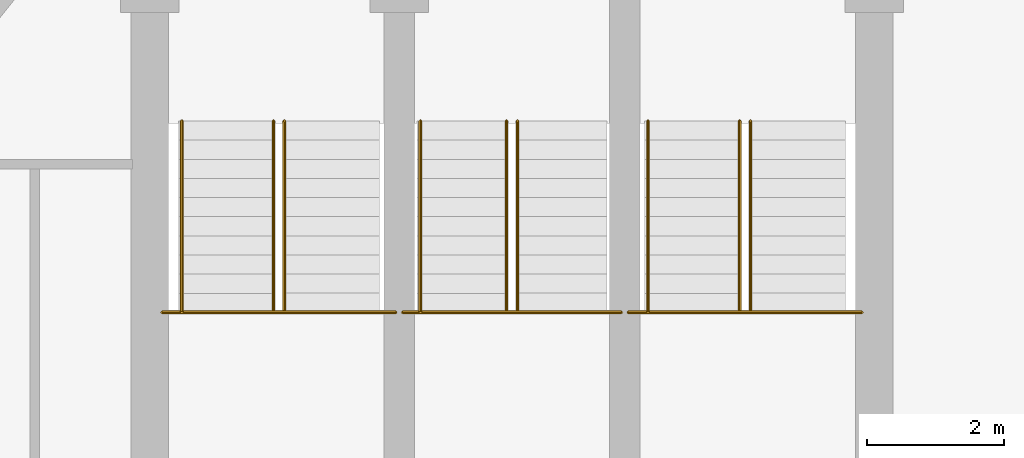
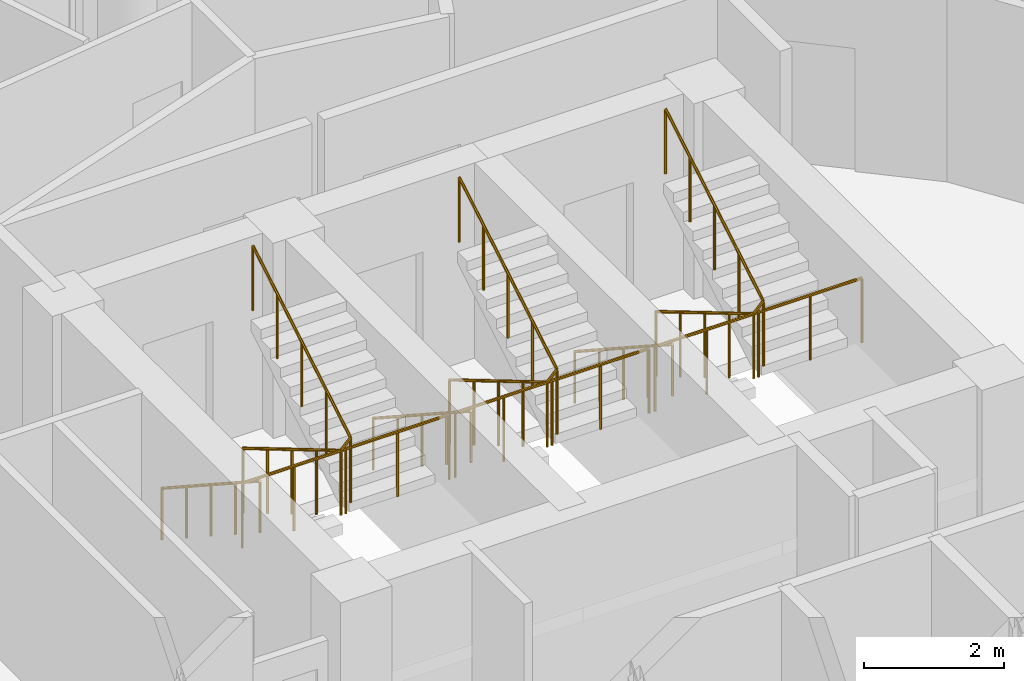
# One storey, part 27 of 27: 9 railings.
"""IFC4 building model written with IfcOpenShell, lengths in metres."""

from ifc_helpers import new_model, si_unit, direction, frame, origin, place, context, subcontext, project, spatial, polyline, outline, extrude, material, type_object, element, save


model = new_model("IFC4")

# Units and contexts
model_context = context("Model", 3, precision=1e-05, world=origin(), true_north=direction((0.0, 1.0)))
body_context = subcontext(model_context, "Body", "Model", "MODEL_VIEW")
ifc_project = project(units=[si_unit("LENGTHUNIT", "METRE"), si_unit("AREAUNIT", "SQUARE_METRE"), si_unit("VOLUMEUNIT", "CUBIC_METRE"), si_unit("PLANEANGLEUNIT", "RADIAN"), si_unit("MASSUNIT", "GRAM", prefix="KILO")], contexts=[model_context])

# Site, building, storey
site_placement = place(None, origin())
site = spatial("IfcSite", under=ifc_project, at=site_placement, CompositionType="ELEMENT")
building_placement = place(site_placement, origin())
building = spatial("IfcBuilding", under=site, at=building_placement, Name="Nuhasar Tower", CompositionType="ELEMENT")
storey_placement = place(building_placement, frame((0.0, 0.0, 244.64990234375)))
storey = spatial("IfcBuildingStorey", under=building, at=storey_placement, Name="L60", CompositionType="ELEMENT", Elevation=244.64990234375)

# Railings
ifc_material_1 = material(Name="Steel S355", Category="steel")
railing_type_1 = type_object("IfcRailingType", Name="RLG-STAIR-GUARD-1150", PredefinedType="GUARDRAIL", material=ifc_material_1)
railing_1_placement = place(storey_placement, frame((33.8798828125, 32.485107421875, 1.8251953125)))
element("IfcRailing", 1, at=railing_1_placement, inside=storey, type_object=railing_type_1, Name="L60 Stair ST-01 Guardrail LND", PredefinedType="GUARDRAIL", context=body_context, shape_type="SweptSolid", body=[
    extrude(outline(polyline([(0.024169921875, 0.0), (0.01708984375, 0.01708984375), (0.0, 0.024169921875), (-0.01708984375, 0.01708984375), (-0.024169921875, 0.0), (-0.01708984375, -0.01708984375), (0.0, -0.024169921875), (0.01708984375, -0.01708984375), (0.024169921875, 0.0)])), frame((0.0, 0.0, 1.1259765625), z_axis=(1.0, 0.0, 0.0), x_axis=(0.0, 1.0, 0.0)), (0.0, 0.0, 1.0), 3.420166015625),
    extrude(outline(polyline([(0.02099609375, 0.0), (0.014892578125, 0.014892578125), (0.0, 0.02099609375), (-0.014892578125, 0.014892578125), (-0.02099609375, 0.0), (-0.014892578125, -0.014892578125), (0.0, -0.02099609375), (0.014892578125, -0.014892578125), (0.02099609375, 0.0)])), origin(), (0.0, 0.0, 1.0), 1.101806640625),
    extrude(outline(polyline([(0.02099609375, 0.0), (0.014892578125, 0.014892578125), (0.0, 0.02099609375), (-0.014892578125, 0.014892578125), (-0.02099609375, 0.0), (-0.014892578125, -0.014892578125), (0.0, -0.02099609375), (0.014892578125, -0.014892578125), (0.02099609375, 0.0)])), frame((0.85498046875, 0.0, 0.0)), (0.0, 0.0, 1.0), 1.101806640625),
    extrude(outline(polyline([(0.02099609375, 0.0), (0.014892578125, 0.014892578125), (0.0, 0.02099609375), (-0.014892578125, 0.014892578125), (-0.02099609375, 0.0), (-0.014892578125, -0.014892578125), (0.0, -0.02099609375), (0.014892578125, -0.014892578125), (0.02099609375, 0.0)])), frame((1.7099609375, 0.0, 0.0)), (0.0, 0.0, 1.0), 1.101806640625),
    extrude(outline(polyline([(0.02099609375, 0.0), (0.014892578125, 0.014892578125), (0.0, 0.02099609375), (-0.014892578125, 0.014892578125), (-0.02099609375, 0.0), (-0.014892578125, -0.014892578125), (0.0, -0.02099609375), (0.014892578125, -0.014892578125), (0.02099609375, 0.0)])), frame((2.565185546875, 0.0, 0.0)), (0.0, 0.0, 1.0), 1.101806640625),
    extrude(outline(polyline([(0.02099609375, 0.0), (0.014892578125, 0.014892578125), (0.0, 0.02099609375), (-0.014892578125, 0.014892578125), (-0.02099609375, 0.0), (-0.014892578125, -0.014892578125), (0.0, -0.02099609375), (0.014892578125, -0.014892578125), (0.02099609375, 0.0)])), frame((3.420166015625, 0.0, 0.0)), (0.0, 0.0, 1.0), 1.101806640625),
])
railing_2_placement = place(storey_placement, frame((35.510009765625, 35.284912109375, 0.166015625)))
element("IfcRailing", 2, at=railing_2_placement, inside=storey, type_object=railing_type_1, Name="L60 Stair ST-01 Guardrail SLT", PredefinedType="GUARDRAIL", context=body_context, shape_type="SweptSolid", body=[
    extrude(outline(polyline([(0.024169921875, 0.0), (0.01708984375, 0.01708984375), (0.0, 0.024169921875), (-0.01708984375, 0.01708984375), (-0.024169921875, 0.0), (-0.01708984375, -0.01708984375), (0.0, -0.024169921875), (0.01708984375, -0.01708984375), (0.024169921875, 0.0)])), frame((0.0, 0.0, 1.1259765625), z_axis=(0.0, -0.860286659441, 0.509810615413), x_axis=(1.0, 0.0, 0.0)), (0.0, 0.0, 1.0), 3.25439453125),
    extrude(outline(polyline([(0.024169921875, 0.0), (0.01708984375, 0.01708984375), (0.0, 0.024169921875), (-0.01708984375, 0.01708984375), (-0.024169921875, 0.0), (-0.01708984375, -0.01708984375), (0.0, -0.024169921875), (0.01708984375, -0.01708984375), (0.024169921875, 0.0)])), frame((0.0, -2.7998046875, 2.78515625), z_axis=(0.693743449033, 0.0, 0.72022220663), x_axis=(0.0, 1.0, 0.0)), (0.0, 0.0, 1.0), 0.23046875),
    extrude(outline(polyline([(0.024169921875, 0.0), (0.01708984375, 0.01708984375), (0.0, 0.024169921875), (-0.01708984375, 0.01708984375), (-0.024169921875, 0.0), (-0.01708984375, -0.01708984375), (0.0, -0.024169921875), (0.01708984375, -0.01708984375), (0.024169921875, 0.0)])), frame((0.159912109375, -2.7998046875, 2.951171875), z_axis=(0.0, 0.860319559791, 0.509755093197), x_axis=(-1.0, 0.0, 0.0)), (0.0, 0.0, 1.0), 3.25439453125),
    extrude(outline(polyline([(0.02099609375, 0.0), (0.014892578125, 0.014892578125), (0.0, 0.02099609375), (-0.014892578125, 0.014892578125), (-0.02099609375, 0.0), (-0.014892578125, -0.014892578125), (0.0, -0.02099609375), (0.014892578125, -0.014892578125), (0.02099609375, 0.0)])), origin(), (0.0, 0.0, 1.0), 1.101806640625),
    extrude(outline(polyline([(0.02099609375, 0.0), (0.014892578125, 0.014892578125), (0.0, 0.02099609375), (-0.014892578125, 0.014892578125), (-0.02099609375, 0.0), (-0.014892578125, -0.014892578125), (0.0, -0.02099609375), (0.014892578125, -0.014892578125), (0.02099609375, 0.0)])), frame((0.0, -0.699951171875, 0.414794921875)), (0.0, 0.0, 1.0), 1.101806640625),
    extrude(outline(polyline([(0.02099609375, 0.0), (0.014892578125, 0.014892578125), (0.0, 0.02099609375), (-0.014892578125, 0.014892578125), (-0.02099609375, 0.0), (-0.014892578125, -0.014892578125), (0.0, -0.02099609375), (0.014892578125, -0.014892578125), (0.02099609375, 0.0)])), frame((0.0, -1.39990234375, 0.82958984375)), (0.0, 0.0, 1.0), 1.101806640625),
    extrude(outline(polyline([(0.02099609375, 0.0), (0.014892578125, 0.014892578125), (0.0, 0.02099609375), (-0.014892578125, 0.014892578125), (-0.02099609375, 0.0), (-0.014892578125, -0.014892578125), (0.0, -0.02099609375), (0.014892578125, -0.014892578125), (0.02099609375, 0.0)])), frame((0.0, -2.099853515625, 1.244384765625)), (0.0, 0.0, 1.0), 1.101806640625),
    extrude(outline(polyline([(0.02099609375, 0.0), (0.014892578125, 0.014892578125), (0.0, 0.02099609375), (-0.014892578125, 0.014892578125), (-0.02099609375, 0.0), (-0.014892578125, -0.014892578125), (0.0, -0.02099609375), (0.014892578125, -0.014892578125), (0.02099609375, 0.0)])), frame((0.0, -2.7998046875, 1.6591796875)), (0.0, 0.0, 1.0), 1.101806640625),
    extrude(outline(polyline([(0.02099609375, 0.0), (0.014892578125, 0.014892578125), (0.0, 0.02099609375), (-0.014892578125, 0.014892578125), (-0.02099609375, 0.0), (-0.014892578125, -0.014892578125), (0.0, -0.02099609375), (0.014892578125, -0.014892578125), (0.02099609375, 0.0)])), frame((0.159912109375, -2.7998046875, 1.8251953125)), (0.0, 0.0, 1.0), 1.101806640625),
    extrude(outline(polyline([(0.02099609375, 0.0), (0.014892578125, 0.014892578125), (0.0, 0.02099609375), (-0.014892578125, 0.014892578125), (-0.02099609375, 0.0), (-0.014892578125, -0.014892578125), (0.0, -0.02099609375), (0.014892578125, -0.014892578125), (0.02099609375, 0.0)])), frame((0.159912109375, -2.099853515625, 2.239990234375)), (0.0, 0.0, 1.0), 1.101806640625),
    extrude(outline(polyline([(0.02099609375, 0.0), (0.014892578125, 0.014892578125), (0.0, 0.02099609375), (-0.014892578125, 0.014892578125), (-0.02099609375, 0.0), (-0.014892578125, -0.014892578125), (0.0, -0.02099609375), (0.014892578125, -0.014892578125), (0.02099609375, 0.0)])), frame((0.159912109375, -1.39990234375, 2.65478515625)), (0.0, 0.0, 1.0), 1.101806640625),
    extrude(outline(polyline([(0.02099609375, 0.0), (0.014892578125, 0.014892578125), (0.0, 0.02099609375), (-0.014892578125, 0.014892578125), (-0.02099609375, 0.0), (-0.014892578125, -0.014892578125), (0.0, -0.02099609375), (0.014892578125, -0.014892578125), (0.02099609375, 0.0)])), frame((0.159912109375, -0.699951171875, 3.0693359375)), (0.0, 0.0, 1.0), 1.101806640625),
    extrude(outline(polyline([(0.02099609375, 0.0), (0.014892578125, 0.014892578125), (0.0, 0.02099609375), (-0.014892578125, 0.014892578125), (-0.02099609375, 0.0), (-0.014892578125, -0.014892578125), (0.0, -0.02099609375), (0.014892578125, -0.014892578125), (0.02099609375, 0.0)])), frame((0.159912109375, 0.0, 3.484130859375)), (0.0, 0.0, 1.0), 1.101806640625),
])
railing_3_placement = place(storey_placement, frame((37.39990234375, 32.485107421875, 1.8251953125)))
element("IfcRailing", 3, at=railing_3_placement, inside=storey, type_object=railing_type_1, Name="L60 Stair ST-03 Guardrail LND", PredefinedType="GUARDRAIL", context=body_context, shape_type="SweptSolid", body=[
    extrude(outline(polyline([(0.024169921875, 0.0), (0.01708984375, 0.01708984375), (0.0, 0.024169921875), (-0.01708984375, 0.01708984375), (-0.024169921875, 0.0), (-0.01708984375, -0.01708984375), (0.0, -0.024169921875), (0.01708984375, -0.01708984375), (0.024169921875, 0.0)])), frame((0.0, 0.0, 1.1259765625), z_axis=(1.0, 0.0, 0.0), x_axis=(0.0, 1.0, 0.0)), (0.0, 0.0, 1.0), 3.2001953125),
    extrude(outline(polyline([(0.02099609375, 0.0), (0.014892578125, 0.014892578125), (0.0, 0.02099609375), (-0.014892578125, 0.014892578125), (-0.02099609375, 0.0), (-0.014892578125, -0.014892578125), (0.0, -0.02099609375), (0.014892578125, -0.014892578125), (0.02099609375, 0.0)])), origin(), (0.0, 0.0, 1.0), 1.101806640625),
    extrude(outline(polyline([(0.02099609375, 0.0), (0.014892578125, 0.014892578125), (0.0, 0.02099609375), (-0.014892578125, 0.014892578125), (-0.02099609375, 0.0), (-0.014892578125, -0.014892578125), (0.0, -0.02099609375), (0.014892578125, -0.014892578125), (0.02099609375, 0.0)])), frame((0.800048828125, 0.0, 0.0)), (0.0, 0.0, 1.0), 1.101806640625),
    extrude(outline(polyline([(0.02099609375, 0.0), (0.014892578125, 0.014892578125), (0.0, 0.02099609375), (-0.014892578125, 0.014892578125), (-0.02099609375, 0.0), (-0.014892578125, -0.014892578125), (0.0, -0.02099609375), (0.014892578125, -0.014892578125), (0.02099609375, 0.0)])), frame((1.60009765625, 0.0, 0.0)), (0.0, 0.0, 1.0), 1.101806640625),
    extrude(outline(polyline([(0.02099609375, 0.0), (0.014892578125, 0.014892578125), (0.0, 0.02099609375), (-0.014892578125, 0.014892578125), (-0.02099609375, 0.0), (-0.014892578125, -0.014892578125), (0.0, -0.02099609375), (0.014892578125, -0.014892578125), (0.02099609375, 0.0)])), frame((2.400146484375, 0.0, 0.0)), (0.0, 0.0, 1.0), 1.101806640625),
    extrude(outline(polyline([(0.02099609375, 0.0), (0.014892578125, 0.014892578125), (0.0, 0.02099609375), (-0.014892578125, 0.014892578125), (-0.02099609375, 0.0), (-0.014892578125, -0.014892578125), (0.0, -0.02099609375), (0.014892578125, -0.014892578125), (0.02099609375, 0.0)])), frame((3.2001953125, 0.0, 0.0)), (0.0, 0.0, 1.0), 1.101806640625),
])
railing_4_placement = place(storey_placement, frame((38.919921875, 35.284912109375, 0.166015625)))
element("IfcRailing", 4, at=railing_4_placement, inside=storey, type_object=railing_type_1, Name="L60 Stair ST-03 Guardrail SLT", PredefinedType="GUARDRAIL", context=body_context, shape_type="SweptSolid", body=[
    extrude(outline(polyline([(0.024169921875, 0.0), (0.01708984375, 0.01708984375), (0.0, 0.024169921875), (-0.01708984375, 0.01708984375), (-0.024169921875, 0.0), (-0.01708984375, -0.01708984375), (0.0, -0.024169921875), (0.01708984375, -0.01708984375), (0.024169921875, 0.0)])), frame((0.0, 0.0, 1.1259765625), z_axis=(0.0, -0.860286659441, 0.509810615413), x_axis=(1.0, 0.0, 0.0)), (0.0, 0.0, 1.0), 3.25439453125),
    extrude(outline(polyline([(0.024169921875, 0.0), (0.01708984375, 0.01708984375), (0.0, 0.024169921875), (-0.01708984375, 0.01708984375), (-0.024169921875, 0.0), (-0.01708984375, -0.01708984375), (0.0, -0.024169921875), (0.01708984375, -0.01708984375), (0.024169921875, 0.0)])), frame((0.0, -2.7998046875, 2.78515625), z_axis=(0.694292246407, 0.0, 0.719693182251), x_axis=(0.0, 1.0, 0.0)), (0.0, 0.0, 1.0), 0.230712890625),
    extrude(outline(polyline([(0.024169921875, 0.0), (0.01708984375, 0.01708984375), (0.0, 0.024169921875), (-0.01708984375, 0.01708984375), (-0.024169921875, 0.0), (-0.01708984375, -0.01708984375), (0.0, -0.024169921875), (0.01708984375, -0.01708984375), (0.024169921875, 0.0)])), frame((0.16015625, -2.7998046875, 2.951171875), z_axis=(0.0, 0.860319559791, 0.509755093197), x_axis=(-1.0, 0.0, 0.0)), (0.0, 0.0, 1.0), 3.25439453125),
    extrude(outline(polyline([(0.02099609375, 0.0), (0.014892578125, 0.014892578125), (0.0, 0.02099609375), (-0.014892578125, 0.014892578125), (-0.02099609375, 0.0), (-0.014892578125, -0.014892578125), (0.0, -0.02099609375), (0.014892578125, -0.014892578125), (0.02099609375, 0.0)])), origin(), (0.0, 0.0, 1.0), 1.101806640625),
    extrude(outline(polyline([(0.02099609375, 0.0), (0.014892578125, 0.014892578125), (0.0, 0.02099609375), (-0.014892578125, 0.014892578125), (-0.02099609375, 0.0), (-0.014892578125, -0.014892578125), (0.0, -0.02099609375), (0.014892578125, -0.014892578125), (0.02099609375, 0.0)])), frame((0.0, -0.699951171875, 0.414794921875)), (0.0, 0.0, 1.0), 1.101806640625),
    extrude(outline(polyline([(0.02099609375, 0.0), (0.014892578125, 0.014892578125), (0.0, 0.02099609375), (-0.014892578125, 0.014892578125), (-0.02099609375, 0.0), (-0.014892578125, -0.014892578125), (0.0, -0.02099609375), (0.014892578125, -0.014892578125), (0.02099609375, 0.0)])), frame((0.0, -1.39990234375, 0.82958984375)), (0.0, 0.0, 1.0), 1.101806640625),
    extrude(outline(polyline([(0.02099609375, 0.0), (0.014892578125, 0.014892578125), (0.0, 0.02099609375), (-0.014892578125, 0.014892578125), (-0.02099609375, 0.0), (-0.014892578125, -0.014892578125), (0.0, -0.02099609375), (0.014892578125, -0.014892578125), (0.02099609375, 0.0)])), frame((0.0, -2.099853515625, 1.244384765625)), (0.0, 0.0, 1.0), 1.101806640625),
    extrude(outline(polyline([(0.02099609375, 0.0), (0.014892578125, 0.014892578125), (0.0, 0.02099609375), (-0.014892578125, 0.014892578125), (-0.02099609375, 0.0), (-0.014892578125, -0.014892578125), (0.0, -0.02099609375), (0.014892578125, -0.014892578125), (0.02099609375, 0.0)])), frame((0.0, -2.7998046875, 1.6591796875)), (0.0, 0.0, 1.0), 1.101806640625),
    extrude(outline(polyline([(0.02099609375, 0.0), (0.014892578125, 0.014892578125), (0.0, 0.02099609375), (-0.014892578125, 0.014892578125), (-0.02099609375, 0.0), (-0.014892578125, -0.014892578125), (0.0, -0.02099609375), (0.014892578125, -0.014892578125), (0.02099609375, 0.0)])), frame((0.16015625, -2.7998046875, 1.8251953125)), (0.0, 0.0, 1.0), 1.101806640625),
    extrude(outline(polyline([(0.02099609375, 0.0), (0.014892578125, 0.014892578125), (0.0, 0.02099609375), (-0.014892578125, 0.014892578125), (-0.02099609375, 0.0), (-0.014892578125, -0.014892578125), (0.0, -0.02099609375), (0.014892578125, -0.014892578125), (0.02099609375, 0.0)])), frame((0.16015625, -2.099853515625, 2.239990234375)), (0.0, 0.0, 1.0), 1.101806640625),
    extrude(outline(polyline([(0.02099609375, 0.0), (0.014892578125, 0.014892578125), (0.0, 0.02099609375), (-0.014892578125, 0.014892578125), (-0.02099609375, 0.0), (-0.014892578125, -0.014892578125), (0.0, -0.02099609375), (0.014892578125, -0.014892578125), (0.02099609375, 0.0)])), frame((0.16015625, -1.39990234375, 2.65478515625)), (0.0, 0.0, 1.0), 1.101806640625),
    extrude(outline(polyline([(0.02099609375, 0.0), (0.014892578125, 0.014892578125), (0.0, 0.02099609375), (-0.014892578125, 0.014892578125), (-0.02099609375, 0.0), (-0.014892578125, -0.014892578125), (0.0, -0.02099609375), (0.014892578125, -0.014892578125), (0.02099609375, 0.0)])), frame((0.16015625, -0.699951171875, 3.0693359375)), (0.0, 0.0, 1.0), 1.101806640625),
    extrude(outline(polyline([(0.02099609375, 0.0), (0.014892578125, 0.014892578125), (0.0, 0.02099609375), (-0.014892578125, 0.014892578125), (-0.02099609375, 0.0), (-0.014892578125, -0.014892578125), (0.0, -0.02099609375), (0.014892578125, -0.014892578125), (0.02099609375, 0.0)])), frame((0.16015625, 0.0, 3.484130859375)), (0.0, 0.0, 1.0), 1.101806640625),
])
railing_5_placement = place(storey_placement, frame((40.699951171875, 32.485107421875, 1.8251953125)))
element("IfcRailing", 5, at=railing_5_placement, inside=storey, type_object=railing_type_1, Name="L60 Stair ST-02 Guardrail LND", PredefinedType="GUARDRAIL", context=body_context, shape_type="SweptSolid", body=[
    extrude(outline(polyline([(0.024169921875, 0.0), (0.01708984375, 0.01708984375), (0.0, 0.024169921875), (-0.01708984375, 0.01708984375), (-0.024169921875, 0.0), (-0.01708984375, -0.01708984375), (0.0, -0.024169921875), (0.01708984375, -0.01708984375), (0.024169921875, 0.0)])), frame((0.0, 0.0, 1.1259765625), z_axis=(1.0, 0.0, 0.0), x_axis=(0.0, 1.0, 0.0)), (0.0, 0.0, 1.0), 3.420166015625),
    extrude(outline(polyline([(0.02099609375, 0.0), (0.014892578125, 0.014892578125), (0.0, 0.02099609375), (-0.014892578125, 0.014892578125), (-0.02099609375, 0.0), (-0.014892578125, -0.014892578125), (0.0, -0.02099609375), (0.014892578125, -0.014892578125), (0.02099609375, 0.0)])), origin(), (0.0, 0.0, 1.0), 1.101806640625),
    extrude(outline(polyline([(0.02099609375, 0.0), (0.014892578125, 0.014892578125), (0.0, 0.02099609375), (-0.014892578125, 0.014892578125), (-0.02099609375, 0.0), (-0.014892578125, -0.014892578125), (0.0, -0.02099609375), (0.014892578125, -0.014892578125), (0.02099609375, 0.0)])), frame((0.85498046875, 0.0, 0.0)), (0.0, 0.0, 1.0), 1.101806640625),
    extrude(outline(polyline([(0.02099609375, 0.0), (0.014892578125, 0.014892578125), (0.0, 0.02099609375), (-0.014892578125, 0.014892578125), (-0.02099609375, 0.0), (-0.014892578125, -0.014892578125), (0.0, -0.02099609375), (0.014892578125, -0.014892578125), (0.02099609375, 0.0)])), frame((1.7099609375, 0.0, 0.0)), (0.0, 0.0, 1.0), 1.101806640625),
    extrude(outline(polyline([(0.02099609375, 0.0), (0.014892578125, 0.014892578125), (0.0, 0.02099609375), (-0.014892578125, 0.014892578125), (-0.02099609375, 0.0), (-0.014892578125, -0.014892578125), (0.0, -0.02099609375), (0.014892578125, -0.014892578125), (0.02099609375, 0.0)])), frame((2.565185546875, 0.0, 0.0)), (0.0, 0.0, 1.0), 1.101806640625),
    extrude(outline(polyline([(0.02099609375, 0.0), (0.014892578125, 0.014892578125), (0.0, 0.02099609375), (-0.014892578125, 0.014892578125), (-0.02099609375, 0.0), (-0.014892578125, -0.014892578125), (0.0, -0.02099609375), (0.014892578125, -0.014892578125), (0.02099609375, 0.0)])), frame((3.420166015625, 0.0, 0.0)), (0.0, 0.0, 1.0), 1.101806640625),
])
railing_6_placement = place(storey_placement, frame((42.330078125, 35.284912109375, 0.166015625)))
element("IfcRailing", 6, at=railing_6_placement, inside=storey, type_object=railing_type_1, Name="L60 Stair ST-02 Guardrail SLT", PredefinedType="GUARDRAIL", context=body_context, shape_type="SweptSolid", body=[
    extrude(outline(polyline([(0.024169921875, 0.0), (0.01708984375, 0.01708984375), (0.0, 0.024169921875), (-0.01708984375, 0.01708984375), (-0.024169921875, 0.0), (-0.01708984375, -0.01708984375), (0.0, -0.024169921875), (0.01708984375, -0.01708984375), (0.024169921875, 0.0)])), frame((0.0, 0.0, 1.1259765625), z_axis=(0.0, -0.860286659441, 0.509810615413), x_axis=(1.0, 0.0, 0.0)), (0.0, 0.0, 1.0), 3.25439453125),
    extrude(outline(polyline([(0.024169921875, 0.0), (0.01708984375, 0.01708984375), (0.0, 0.024169921875), (-0.01708984375, 0.01708984375), (-0.024169921875, 0.0), (-0.01708984375, -0.01708984375), (0.0, -0.024169921875), (0.01708984375, -0.01708984375), (0.024169921875, 0.0)])), frame((0.0, -2.7998046875, 2.78515625), z_axis=(0.693743449033, 0.0, 0.72022220663), x_axis=(0.0, 1.0, 0.0)), (0.0, 0.0, 1.0), 0.23046875),
    extrude(outline(polyline([(0.024169921875, 0.0), (0.01708984375, 0.01708984375), (0.0, 0.024169921875), (-0.01708984375, 0.01708984375), (-0.024169921875, 0.0), (-0.01708984375, -0.01708984375), (0.0, -0.024169921875), (0.01708984375, -0.01708984375), (0.024169921875, 0.0)])), frame((0.159912109375, -2.7998046875, 2.951171875), z_axis=(0.0, 0.860319559791, 0.509755093197), x_axis=(-1.0, 0.0, 0.0)), (0.0, 0.0, 1.0), 3.25439453125),
    extrude(outline(polyline([(0.02099609375, 0.0), (0.014892578125, 0.014892578125), (0.0, 0.02099609375), (-0.014892578125, 0.014892578125), (-0.02099609375, 0.0), (-0.014892578125, -0.014892578125), (0.0, -0.02099609375), (0.014892578125, -0.014892578125), (0.02099609375, 0.0)])), origin(), (0.0, 0.0, 1.0), 1.101806640625),
    extrude(outline(polyline([(0.02099609375, 0.0), (0.014892578125, 0.014892578125), (0.0, 0.02099609375), (-0.014892578125, 0.014892578125), (-0.02099609375, 0.0), (-0.014892578125, -0.014892578125), (0.0, -0.02099609375), (0.014892578125, -0.014892578125), (0.02099609375, 0.0)])), frame((0.0, -0.699951171875, 0.414794921875)), (0.0, 0.0, 1.0), 1.101806640625),
    extrude(outline(polyline([(0.02099609375, 0.0), (0.014892578125, 0.014892578125), (0.0, 0.02099609375), (-0.014892578125, 0.014892578125), (-0.02099609375, 0.0), (-0.014892578125, -0.014892578125), (0.0, -0.02099609375), (0.014892578125, -0.014892578125), (0.02099609375, 0.0)])), frame((0.0, -1.39990234375, 0.82958984375)), (0.0, 0.0, 1.0), 1.101806640625),
    extrude(outline(polyline([(0.02099609375, 0.0), (0.014892578125, 0.014892578125), (0.0, 0.02099609375), (-0.014892578125, 0.014892578125), (-0.02099609375, 0.0), (-0.014892578125, -0.014892578125), (0.0, -0.02099609375), (0.014892578125, -0.014892578125), (0.02099609375, 0.0)])), frame((0.0, -2.099853515625, 1.244384765625)), (0.0, 0.0, 1.0), 1.101806640625),
    extrude(outline(polyline([(0.02099609375, 0.0), (0.014892578125, 0.014892578125), (0.0, 0.02099609375), (-0.014892578125, 0.014892578125), (-0.02099609375, 0.0), (-0.014892578125, -0.014892578125), (0.0, -0.02099609375), (0.014892578125, -0.014892578125), (0.02099609375, 0.0)])), frame((0.0, -2.7998046875, 1.6591796875)), (0.0, 0.0, 1.0), 1.101806640625),
    extrude(outline(polyline([(0.02099609375, 0.0), (0.014892578125, 0.014892578125), (0.0, 0.02099609375), (-0.014892578125, 0.014892578125), (-0.02099609375, 0.0), (-0.014892578125, -0.014892578125), (0.0, -0.02099609375), (0.014892578125, -0.014892578125), (0.02099609375, 0.0)])), frame((0.159912109375, -2.7998046875, 1.8251953125)), (0.0, 0.0, 1.0), 1.101806640625),
    extrude(outline(polyline([(0.02099609375, 0.0), (0.014892578125, 0.014892578125), (0.0, 0.02099609375), (-0.014892578125, 0.014892578125), (-0.02099609375, 0.0), (-0.014892578125, -0.014892578125), (0.0, -0.02099609375), (0.014892578125, -0.014892578125), (0.02099609375, 0.0)])), frame((0.159912109375, -2.099853515625, 2.239990234375)), (0.0, 0.0, 1.0), 1.101806640625),
    extrude(outline(polyline([(0.02099609375, 0.0), (0.014892578125, 0.014892578125), (0.0, 0.02099609375), (-0.014892578125, 0.014892578125), (-0.02099609375, 0.0), (-0.014892578125, -0.014892578125), (0.0, -0.02099609375), (0.014892578125, -0.014892578125), (0.02099609375, 0.0)])), frame((0.159912109375, -1.39990234375, 2.65478515625)), (0.0, 0.0, 1.0), 1.101806640625),
    extrude(outline(polyline([(0.02099609375, 0.0), (0.014892578125, 0.014892578125), (0.0, 0.02099609375), (-0.014892578125, 0.014892578125), (-0.02099609375, 0.0), (-0.014892578125, -0.014892578125), (0.0, -0.02099609375), (0.014892578125, -0.014892578125), (0.02099609375, 0.0)])), frame((0.159912109375, -0.699951171875, 3.0693359375)), (0.0, 0.0, 1.0), 1.101806640625),
    extrude(outline(polyline([(0.02099609375, 0.0), (0.014892578125, 0.014892578125), (0.0, 0.02099609375), (-0.014892578125, 0.014892578125), (-0.02099609375, 0.0), (-0.014892578125, -0.014892578125), (0.0, -0.02099609375), (0.014892578125, -0.014892578125), (0.02099609375, 0.0)])), frame((0.159912109375, 0.0, 3.484130859375)), (0.0, 0.0, 1.0), 1.101806640625),
])
ifc_material_2 = material(Name="Stainless Steel 316L", Category="steel")
railing_type_2 = type_object("IfcRailingType", Name="RLG-STAIR-HAND-920", PredefinedType="HANDRAIL", material=ifc_material_2)
railing_7_placement = place(storey_placement, frame((34.169921875, 35.284912109375, 0.166015625)))
element("IfcRailing", 7, at=railing_7_placement, inside=storey, type_object=railing_type_2, Name="L60 Stair ST-01 Handrail HND1", PredefinedType="HANDRAIL", context=body_context, shape_type="SweptSolid", body=[
    extrude(outline(polyline([(0.024169921875, 0.0), (0.01708984375, 0.01708984375), (0.0, 0.024169921875), (-0.01708984375, 0.01708984375), (-0.024169921875, 0.0), (-0.01708984375, -0.01708984375), (0.0, -0.024169921875), (0.01708984375, -0.01708984375), (0.024169921875, 0.0)])), frame((0.0, 0.0, 0.89599609375), z_axis=(0.0, -0.837715212655, 0.546107336049), x_axis=(1.0, 0.0, 0.0)), (0.0, 0.0, 1.0), 3.34228515625),
    extrude(outline(polyline([(0.02099609375, 0.0), (0.014892578125, 0.014892578125), (0.0, 0.02099609375), (-0.014892578125, 0.014892578125), (-0.02099609375, 0.0), (-0.014892578125, -0.014892578125), (0.0, -0.02099609375), (0.014892578125, -0.014892578125), (0.02099609375, 0.0)])), origin(), (0.0, 0.0, 1.0), 0.871826171875),
    extrude(outline(polyline([(0.02099609375, 0.0), (0.014892578125, 0.014892578125), (0.0, 0.02099609375), (-0.014892578125, 0.014892578125), (-0.02099609375, 0.0), (-0.014892578125, -0.014892578125), (0.0, -0.02099609375), (0.014892578125, -0.014892578125), (0.02099609375, 0.0)])), frame((0.0, -0.699951171875, 0.456298828125)), (0.0, 0.0, 1.0), 0.871826171875),
    extrude(outline(polyline([(0.02099609375, 0.0), (0.014892578125, 0.014892578125), (0.0, 0.02099609375), (-0.014892578125, 0.014892578125), (-0.02099609375, 0.0), (-0.014892578125, -0.014892578125), (0.0, -0.02099609375), (0.014892578125, -0.014892578125), (0.02099609375, 0.0)])), frame((0.0, -1.39990234375, 0.91259765625)), (0.0, 0.0, 1.0), 0.871826171875),
    extrude(outline(polyline([(0.02099609375, 0.0), (0.014892578125, 0.014892578125), (0.0, 0.02099609375), (-0.014892578125, 0.014892578125), (-0.02099609375, 0.0), (-0.014892578125, -0.014892578125), (0.0, -0.02099609375), (0.014892578125, -0.014892578125), (0.02099609375, 0.0)])), frame((0.0, -2.099853515625, 1.368896484375)), (0.0, 0.0, 1.0), 0.871826171875),
    extrude(outline(polyline([(0.02099609375, 0.0), (0.014892578125, 0.014892578125), (0.0, 0.02099609375), (-0.014892578125, 0.014892578125), (-0.02099609375, 0.0), (-0.014892578125, -0.014892578125), (0.0, -0.02099609375), (0.014892578125, -0.014892578125), (0.02099609375, 0.0)])), frame((0.0, -2.7998046875, 1.8251953125)), (0.0, 0.0, 1.0), 0.871826171875),
])
railing_8_placement = place(storey_placement, frame((37.659912109375, 35.284912109375, 0.166015625)))
element("IfcRailing", 8, at=railing_8_placement, inside=storey, type_object=railing_type_2, Name="L60 Stair ST-03 Handrail HND1", PredefinedType="HANDRAIL", context=body_context, shape_type="SweptSolid", body=[
    extrude(outline(polyline([(0.024169921875, 0.0), (0.01708984375, 0.01708984375), (0.0, 0.024169921875), (-0.01708984375, 0.01708984375), (-0.024169921875, 0.0), (-0.01708984375, -0.01708984375), (0.0, -0.024169921875), (0.01708984375, -0.01708984375), (0.024169921875, 0.0)])), frame((0.0, 0.0, 0.89599609375), z_axis=(0.0, -0.837715212655, 0.546107336049), x_axis=(1.0, 0.0, 0.0)), (0.0, 0.0, 1.0), 3.34228515625),
    extrude(outline(polyline([(0.02099609375, 0.0), (0.014892578125, 0.014892578125), (0.0, 0.02099609375), (-0.014892578125, 0.014892578125), (-0.02099609375, 0.0), (-0.014892578125, -0.014892578125), (0.0, -0.02099609375), (0.014892578125, -0.014892578125), (0.02099609375, 0.0)])), origin(), (0.0, 0.0, 1.0), 0.871826171875),
    extrude(outline(polyline([(0.02099609375, 0.0), (0.014892578125, 0.014892578125), (0.0, 0.02099609375), (-0.014892578125, 0.014892578125), (-0.02099609375, 0.0), (-0.014892578125, -0.014892578125), (0.0, -0.02099609375), (0.014892578125, -0.014892578125), (0.02099609375, 0.0)])), frame((0.0, -0.699951171875, 0.456298828125)), (0.0, 0.0, 1.0), 0.871826171875),
    extrude(outline(polyline([(0.02099609375, 0.0), (0.014892578125, 0.014892578125), (0.0, 0.02099609375), (-0.014892578125, 0.014892578125), (-0.02099609375, 0.0), (-0.014892578125, -0.014892578125), (0.0, -0.02099609375), (0.014892578125, -0.014892578125), (0.02099609375, 0.0)])), frame((0.0, -1.39990234375, 0.91259765625)), (0.0, 0.0, 1.0), 0.871826171875),
    extrude(outline(polyline([(0.02099609375, 0.0), (0.014892578125, 0.014892578125), (0.0, 0.02099609375), (-0.014892578125, 0.014892578125), (-0.02099609375, 0.0), (-0.014892578125, -0.014892578125), (0.0, -0.02099609375), (0.014892578125, -0.014892578125), (0.02099609375, 0.0)])), frame((0.0, -2.099853515625, 1.368896484375)), (0.0, 0.0, 1.0), 0.871826171875),
    extrude(outline(polyline([(0.02099609375, 0.0), (0.014892578125, 0.014892578125), (0.0, 0.02099609375), (-0.014892578125, 0.014892578125), (-0.02099609375, 0.0), (-0.014892578125, -0.014892578125), (0.0, -0.02099609375), (0.014892578125, -0.014892578125), (0.02099609375, 0.0)])), frame((0.0, -2.7998046875, 1.8251953125)), (0.0, 0.0, 1.0), 0.871826171875),
])
railing_9_placement = place(storey_placement, frame((40.989990234375, 35.284912109375, 0.166015625)))
element("IfcRailing", 9, at=railing_9_placement, inside=storey, type_object=railing_type_2, Name="L60 Stair ST-02 Handrail HND1", PredefinedType="HANDRAIL", context=body_context, shape_type="SweptSolid", body=[
    extrude(outline(polyline([(0.024169921875, 0.0), (0.01708984375, 0.01708984375), (0.0, 0.024169921875), (-0.01708984375, 0.01708984375), (-0.024169921875, 0.0), (-0.01708984375, -0.01708984375), (0.0, -0.024169921875), (0.01708984375, -0.01708984375), (0.024169921875, 0.0)])), frame((0.0, 0.0, 0.89599609375), z_axis=(0.0, -0.837715212655, 0.546107336049), x_axis=(1.0, 0.0, 0.0)), (0.0, 0.0, 1.0), 3.34228515625),
    extrude(outline(polyline([(0.02099609375, 0.0), (0.014892578125, 0.014892578125), (0.0, 0.02099609375), (-0.014892578125, 0.014892578125), (-0.02099609375, 0.0), (-0.014892578125, -0.014892578125), (0.0, -0.02099609375), (0.014892578125, -0.014892578125), (0.02099609375, 0.0)])), origin(), (0.0, 0.0, 1.0), 0.871826171875),
    extrude(outline(polyline([(0.02099609375, 0.0), (0.014892578125, 0.014892578125), (0.0, 0.02099609375), (-0.014892578125, 0.014892578125), (-0.02099609375, 0.0), (-0.014892578125, -0.014892578125), (0.0, -0.02099609375), (0.014892578125, -0.014892578125), (0.02099609375, 0.0)])), frame((0.0, -0.699951171875, 0.456298828125)), (0.0, 0.0, 1.0), 0.871826171875),
    extrude(outline(polyline([(0.02099609375, 0.0), (0.014892578125, 0.014892578125), (0.0, 0.02099609375), (-0.014892578125, 0.014892578125), (-0.02099609375, 0.0), (-0.014892578125, -0.014892578125), (0.0, -0.02099609375), (0.014892578125, -0.014892578125), (0.02099609375, 0.0)])), frame((0.0, -1.39990234375, 0.91259765625)), (0.0, 0.0, 1.0), 0.871826171875),
    extrude(outline(polyline([(0.02099609375, 0.0), (0.014892578125, 0.014892578125), (0.0, 0.02099609375), (-0.014892578125, 0.014892578125), (-0.02099609375, 0.0), (-0.014892578125, -0.014892578125), (0.0, -0.02099609375), (0.014892578125, -0.014892578125), (0.02099609375, 0.0)])), frame((0.0, -2.099853515625, 1.368896484375)), (0.0, 0.0, 1.0), 0.871826171875),
    extrude(outline(polyline([(0.02099609375, 0.0), (0.014892578125, 0.014892578125), (0.0, 0.02099609375), (-0.014892578125, 0.014892578125), (-0.02099609375, 0.0), (-0.014892578125, -0.014892578125), (0.0, -0.02099609375), (0.014892578125, -0.014892578125), (0.02099609375, 0.0)])), frame((0.0, -2.7998046875, 1.8251953125)), (0.0, 0.0, 1.0), 0.871826171875),
])

save(model, "model.ifc")
